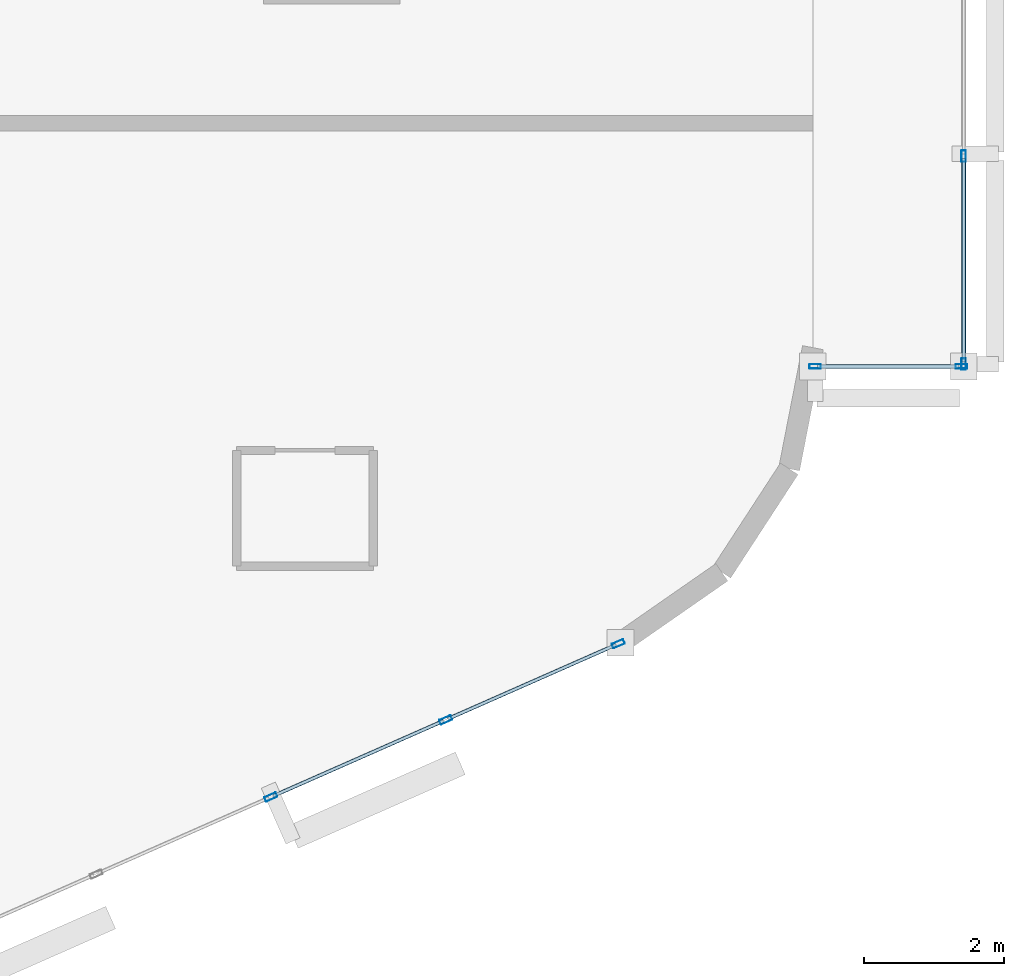
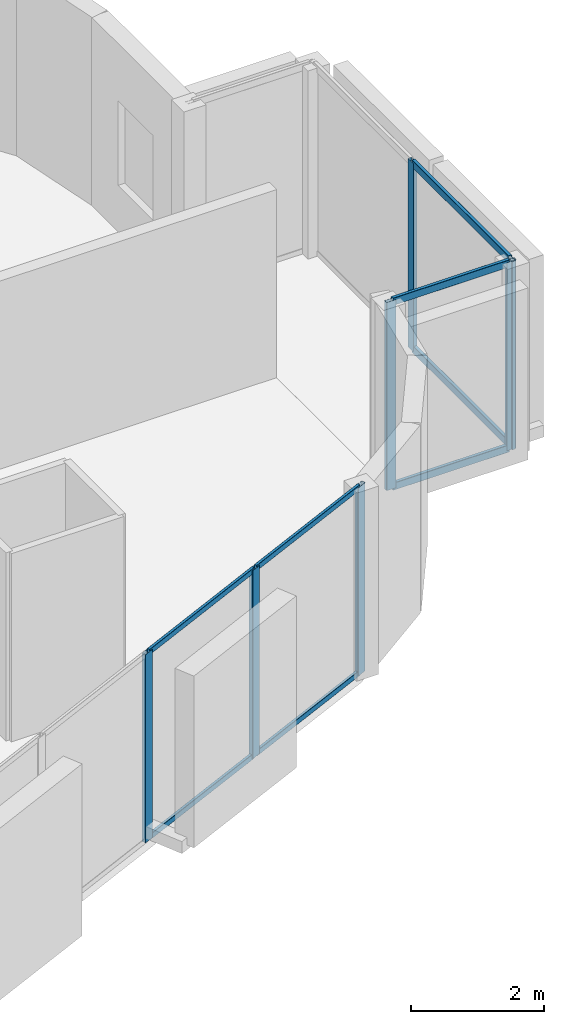
# One storey, part 4 of 13: 15 members, 3 elements without a shape of their own.
"""IFC4 building model written with IfcOpenShell, lengths in metres."""

from ifc_helpers import new_model, si_unit, direction, frame, origin, origin_2d, place, context, subcontext, project, spatial, hollow_rectangle, extrude, material, layer, layer_set, material_profile, profile_set, type_object, element, aggregate, save


model = new_model("IFC4")

# Units and contexts
model_context = context("Model", 3, precision=1e-05, world=origin(), true_north=direction((0.0, 1.0)))
body_context = subcontext(model_context, "Body", "Model", "MODEL_VIEW")
ifc_project = project(units=[si_unit("LENGTHUNIT", "METRE"), si_unit("AREAUNIT", "SQUARE_METRE"), si_unit("VOLUMEUNIT", "CUBIC_METRE"), si_unit("PLANEANGLEUNIT", "RADIAN"), si_unit("MASSUNIT", "GRAM", prefix="KILO")], contexts=[model_context])

# Site, building, storey
site_placement = place(None, origin())
site = spatial("IfcSite", under=ifc_project, at=site_placement, CompositionType="ELEMENT")
building_placement = place(site_placement, origin())
building = spatial("IfcBuilding", under=site, at=building_placement, Name="An Khanh Terracotta Commons", CompositionType="ELEMENT")
storey_placement = place(building_placement, frame((0.0, 0.0, 266.10009765625)))
storey = spatial("IfcBuildingStorey", under=building, at=storey_placement, Name="L69", CompositionType="ELEMENT", Elevation=266.10009765625)

# Curtain wall, members
ifc_material = material(Name="Anodised Aluminium 6063-T6", Category="aluminium")
ifc_layer_1 = layer(ifc_material, 0.239990234375, Name="Anodised Aluminium 6063-T6")
ifc_layer_set_1 = layer_set([ifc_layer_1], Name="Anodised Aluminium 6063-T6")
curtain_wall_type_1 = type_object("IfcCurtainWallType", Name="CW-SYS-04", PredefinedType="USERDEFINED", material=ifc_layer_set_1)
curtain_wall_1_placement = place(storey_placement, origin())
curtain_wall_1 = element("IfcCurtainWall", 1, at=curtain_wall_1_placement, inside=storey, type_object=curtain_wall_type_1, Name="L69 CW-04 Unitised Curtain Wall CW-L69-EBOX-1", ObjectType="UNITISED CURTAIN WALL", PredefinedType="USERDEFINED")
ifc_material_profile_1 = material_profile(ifc_material, hollow_rectangle(XDim=0.06494140625, YDim=0.1650390625, WallThickness=0.00390625, InnerFilletRadius=0.00390625, OuterFilletRadius=0.008056640625, at=origin_2d()), Name="RHS165x65x4")
ifc_profile_set_1 = profile_set([ifc_material_profile_1], Name="Anodised Aluminium 6063-T6")
member_type_1 = type_object("IfcMemberType", Name="CWM-RHS165x65x4", PredefinedType="MULLION", material=ifc_profile_set_1)
member_1_placement = place(storey_placement, frame((77.75, 19.5625, 0.0), z_axis=(0.0, 0.0, 1.0), x_axis=(-1.0, 0.0, 0.0)))
member_1 = element("IfcMember", 2, at=member_1_placement, type_object=member_type_1, Name="CW-04 mullion 1", PredefinedType="MULLION", context=body_context, shape_type="SweptSolid", body=[
    extrude(hollow_rectangle(XDim=0.06494140625, YDim=0.1650390625, WallThickness=0.00390625, InnerFilletRadius=0.00390625, OuterFilletRadius=0.008056640625, at=origin_2d()), origin(), (0.0, 0.0, 1.0), 3.449951171875),
])
member_2_placement = place(storey_placement, frame((77.75, 22.530029296875, 0.0), z_axis=(0.0, 0.0, 1.0), x_axis=(-1.0, 0.0, 0.0)))
member_2 = element("IfcMember", 3, at=member_2_placement, type_object=member_type_1, Name="CW-04 mullion 2", PredefinedType="MULLION", context=body_context, shape_type="SweptSolid", body=[
    extrude(hollow_rectangle(XDim=0.06494140625, YDim=0.1650390625, WallThickness=0.00390625, InnerFilletRadius=0.00390625, OuterFilletRadius=0.008056640625, at=origin_2d()), origin(), (0.0, 0.0, 1.0), 3.449951171875),
])

curtain_wall_2_placement = place(storey_placement, origin())
curtain_wall_2 = element("IfcCurtainWall", 4, at=curtain_wall_2_placement, inside=storey, type_object=curtain_wall_type_1, Name="L69 CW-04 Unitised Curtain Wall CW-L69-EBOX-2", ObjectType="UNITISED CURTAIN WALL", PredefinedType="USERDEFINED")
member_3_placement = place(storey_placement, frame((75.632568359375, 19.530029296875, 0.0), z_axis=(0.0, 0.0, 1.0), x_axis=(0.0, 1.0, 0.0)))
member_3 = element("IfcMember", 5, at=member_3_placement, type_object=member_type_1, Name="CW-04 mullion 1", PredefinedType="MULLION", context=body_context, shape_type="SweptSolid", body=[
    extrude(hollow_rectangle(XDim=0.06494140625, YDim=0.1650390625, WallThickness=0.00390625, InnerFilletRadius=0.00390625, OuterFilletRadius=0.008056640625, at=origin_2d()), origin(), (0.0, 0.0, 1.0), 3.449951171875),
])
member_4_placement = place(storey_placement, frame((77.717529296875, 19.530029296875, 0.0), z_axis=(0.0, 0.0, 1.0), x_axis=(0.0, 1.0, 0.0)))
member_4 = element("IfcMember", 6, at=member_4_placement, type_object=member_type_1, Name="CW-04 mullion 2", PredefinedType="MULLION", context=body_context, shape_type="SweptSolid", body=[
    extrude(hollow_rectangle(XDim=0.06494140625, YDim=0.1650390625, WallThickness=0.00390625, InnerFilletRadius=0.00390625, OuterFilletRadius=0.008056640625, at=origin_2d()), origin(), (0.0, 0.0, 1.0), 3.449951171875),
])

ifc_layer_2 = layer(ifc_material, 0.2099609375, Name="Anodised Aluminium 6063-T6")
ifc_layer_set_2 = layer_set([ifc_layer_2], Name="Anodised Aluminium 6063-T6")
curtain_wall_type_2 = type_object("IfcCurtainWallType", Name="CW-SYS-03", PredefinedType="USERDEFINED", material=ifc_layer_set_2)
curtain_wall_3_placement = place(storey_placement, origin())
curtain_wall_3 = element("IfcCurtainWall", 7, at=curtain_wall_3_placement, inside=storey, type_object=curtain_wall_type_2, Name="L69 CW-03 Unitised Curtain Wall CW-L69-08", ObjectType="UNITISED CURTAIN WALL", PredefinedType="USERDEFINED")
ifc_material_profile_2 = material_profile(ifc_material, hollow_rectangle(XDim=0.070068359375, YDim=0.179931640625, WallThickness=0.00390625, InnerFilletRadius=0.00390625, OuterFilletRadius=0.008056640625, at=origin_2d()), Name="RHS180x70x4")
ifc_profile_set_2 = profile_set([ifc_material_profile_2], Name="Anodised Aluminium 6063-T6")
member_type_2 = type_object("IfcMemberType", Name="CWM-RHS180x70x4", PredefinedType="MULLION", material=ifc_profile_set_2)
member_5_placement = place(storey_placement, frame((67.8720703125, 13.390380859375, 0.0), z_axis=(0.0, 0.0, 1.0), x_axis=(-0.403676354285, 0.914901853201, 0.0)))
member_5 = element("IfcMember", 8, at=member_5_placement, type_object=member_type_2, Name="CW-03 mullion 3", PredefinedType="MULLION", context=body_context, shape_type="SweptSolid", body=[
    extrude(hollow_rectangle(XDim=0.070068359375, YDim=0.179931640625, WallThickness=0.00390625, InnerFilletRadius=0.00390625, OuterFilletRadius=0.008056640625, at=origin_2d()), origin(), (0.0, 0.0, 1.0), 3.449951171875),
])
member_6_placement = place(storey_placement, frame((70.364501953125, 14.490234375, 0.0), z_axis=(0.0, 0.0, 1.0), x_axis=(-0.403676354285, 0.914901853201, 0.0)))
member_6 = element("IfcMember", 9, at=member_6_placement, type_object=member_type_2, Name="CW-03 mullion 4", PredefinedType="MULLION", context=body_context, shape_type="SweptSolid", body=[
    extrude(hollow_rectangle(XDim=0.070068359375, YDim=0.179931640625, WallThickness=0.00390625, InnerFilletRadius=0.00390625, OuterFilletRadius=0.008056640625, at=origin_2d()), origin(), (0.0, 0.0, 1.0), 3.449951171875),
])
member_7_placement = place(storey_placement, frame((72.824951171875, 15.575927734375, 0.0), z_axis=(0.0, 0.0, 1.0), x_axis=(-0.403676354285, 0.914901853201, 0.0)))
member_7 = element("IfcMember", 10, at=member_7_placement, type_object=member_type_2, Name="CW-03 mullion 5", PredefinedType="MULLION", context=body_context, shape_type="SweptSolid", body=[
    extrude(hollow_rectangle(XDim=0.070068359375, YDim=0.179931640625, WallThickness=0.00390625, InnerFilletRadius=0.00390625, OuterFilletRadius=0.008056640625, at=origin_2d()), origin(), (0.0, 0.0, 1.0), 3.449951171875),
])
ifc_material_profile_3 = material_profile(ifc_material, hollow_rectangle(XDim=0.050048828125, YDim=0.10009765625, WallThickness=0.003173828125, InnerFilletRadius=0.003173828125, OuterFilletRadius=0.00634765625, at=origin_2d()), Name="RHS100x50x3.2")
ifc_profile_set_3 = profile_set([ifc_material_profile_3], Name="Anodised Aluminium 6063-T6")
member_type_3 = type_object("IfcMemberType", Name="CWT-RHS100x50x3.2", PredefinedType="USERDEFINED", material=ifc_profile_set_3)
member_8_placement = place(storey_placement, frame((67.904052734375, 13.404541015625, 0.02490234375), z_axis=(0.914896820753, 0.403687759755, 0.0), x_axis=(-0.403687759755, 0.914896820753, 0.0)))
member_8 = element("IfcMember", 11, at=member_8_placement, type_object=member_type_3, Name="CW-03 transom 3.1", ObjectType="TRANSOM", PredefinedType="USERDEFINED", context=body_context, shape_type="SweptSolid", body=[
    extrude(hollow_rectangle(XDim=0.050048828125, YDim=0.10009765625, WallThickness=0.003173828125, InnerFilletRadius=0.003173828125, OuterFilletRadius=0.00634765625, at=origin_2d()), origin(), (0.0, 0.0, 1.0), 2.654296875),
])
member_9_placement = place(storey_placement, frame((67.904052734375, 13.404541015625, 3.4248046875), z_axis=(0.914896820753, 0.403687759755, 0.0), x_axis=(-0.403687759755, 0.914896820753, 0.0)))
member_9 = element("IfcMember", 12, at=member_9_placement, type_object=member_type_3, Name="CW-03 transom 3.2", ObjectType="TRANSOM", PredefinedType="USERDEFINED", context=body_context, shape_type="SweptSolid", body=[
    extrude(hollow_rectangle(XDim=0.050048828125, YDim=0.10009765625, WallThickness=0.003173828125, InnerFilletRadius=0.003173828125, OuterFilletRadius=0.00634765625, at=origin_2d()), origin(), (0.0, 0.0, 1.0), 2.654296875),
])
member_10_placement = place(storey_placement, frame((70.396484375, 14.50439453125, 0.02490234375), z_axis=(0.914903627858, 0.403672332137, 0.0), x_axis=(-0.403672332137, 0.914903627858, 0.0)))
member_10 = element("IfcMember", 13, at=member_10_placement, type_object=member_type_3, Name="CW-03 transom 4.1", ObjectType="TRANSOM", PredefinedType="USERDEFINED", context=body_context, shape_type="SweptSolid", body=[
    extrude(hollow_rectangle(XDim=0.050048828125, YDim=0.10009765625, WallThickness=0.003173828125, InnerFilletRadius=0.003173828125, OuterFilletRadius=0.00634765625, at=origin_2d()), origin(), (0.0, 0.0, 1.0), 2.619384765625),
])
member_11_placement = place(storey_placement, frame((70.396484375, 14.50439453125, 3.4248046875), z_axis=(0.914903627858, 0.403672332137, 0.0), x_axis=(-0.403672332137, 0.914903627858, 0.0)))
member_11 = element("IfcMember", 14, at=member_11_placement, type_object=member_type_3, Name="CW-03 transom 4.2", ObjectType="TRANSOM", PredefinedType="USERDEFINED", context=body_context, shape_type="SweptSolid", body=[
    extrude(hollow_rectangle(XDim=0.050048828125, YDim=0.10009765625, WallThickness=0.003173828125, InnerFilletRadius=0.003173828125, OuterFilletRadius=0.00634765625, at=origin_2d()), origin(), (0.0, 0.0, 1.0), 2.619384765625),
])
aggregate(curtain_wall_3, [member_5, member_6, member_7, member_8, member_9, member_10, member_11])

# Member
ifc_material_profile_4 = material_profile(ifc_material, hollow_rectangle(XDim=0.06005859375, YDim=0.135009765625, WallThickness=0.003662109375, InnerFilletRadius=0.003662109375, OuterFilletRadius=0.007080078125, at=origin_2d()), Name="RHS135x60x3.6")
ifc_profile_set_4 = profile_set([ifc_material_profile_4], Name="Anodised Aluminium 6063-T6")
member_type_4 = type_object("IfcMemberType", Name="CWT-RHS135x60x3.6", PredefinedType="USERDEFINED", material=ifc_profile_set_4)
member_12_placement = place(storey_placement, frame((77.75, 19.594970703125, 0.02978515625), z_axis=(0.0, 1.0, 0.0), x_axis=(-1.0, 0.0, 0.0)))
member_12 = element("IfcMember", 15, at=member_12_placement, type_object=member_type_4, Name="CW-04 transom 1.1", ObjectType="TRANSOM", PredefinedType="USERDEFINED", context=body_context, shape_type="SweptSolid", body=[
    extrude(hollow_rectangle(XDim=0.06005859375, YDim=0.135009765625, WallThickness=0.003662109375, InnerFilletRadius=0.003662109375, OuterFilletRadius=0.007080078125, at=origin_2d()), origin(), (0.0, 0.0, 1.0), 2.902587890625),
])

member_13_placement = place(storey_placement, frame((77.75, 19.594970703125, 3.419921875), z_axis=(0.0, 1.0, 0.0), x_axis=(-1.0, 0.0, 0.0)))
member_13 = element("IfcMember", 16, at=member_13_placement, type_object=member_type_4, Name="CW-04 transom 1.2", ObjectType="TRANSOM", PredefinedType="USERDEFINED", context=body_context, shape_type="SweptSolid", body=[
    extrude(hollow_rectangle(XDim=0.06005859375, YDim=0.135009765625, WallThickness=0.003662109375, InnerFilletRadius=0.003662109375, OuterFilletRadius=0.007080078125, at=origin_2d()), origin(), (0.0, 0.0, 1.0), 2.902587890625),
])

aggregate(curtain_wall_1, [member_1, member_2, member_12, member_13])

member_14_placement = place(storey_placement, frame((75.6650390625, 19.530029296875, 0.02978515625), z_axis=(1.0, 0.0, 0.0), x_axis=(0.0, 1.0, 0.0)))
member_14 = element("IfcMember", 17, at=member_14_placement, type_object=member_type_4, Name="CW-04 transom 1.1", ObjectType="TRANSOM", PredefinedType="USERDEFINED", context=body_context, shape_type="SweptSolid", body=[
    extrude(hollow_rectangle(XDim=0.06005859375, YDim=0.135009765625, WallThickness=0.003662109375, InnerFilletRadius=0.003662109375, OuterFilletRadius=0.007080078125, at=origin_2d()), origin(), (0.0, 0.0, 1.0), 2.02001953125),
])

member_15_placement = place(storey_placement, frame((75.6650390625, 19.530029296875, 3.419921875), z_axis=(1.0, 0.0, 0.0), x_axis=(0.0, 1.0, 0.0)))
member_15 = element("IfcMember", 18, at=member_15_placement, type_object=member_type_4, Name="CW-04 transom 1.2", ObjectType="TRANSOM", PredefinedType="USERDEFINED", context=body_context, shape_type="SweptSolid", body=[
    extrude(hollow_rectangle(XDim=0.06005859375, YDim=0.135009765625, WallThickness=0.003662109375, InnerFilletRadius=0.003662109375, OuterFilletRadius=0.007080078125, at=origin_2d()), origin(), (0.0, 0.0, 1.0), 2.02001953125),
])

aggregate(curtain_wall_2, [member_3, member_4, member_14, member_15])

save(model, "model.ifc")
